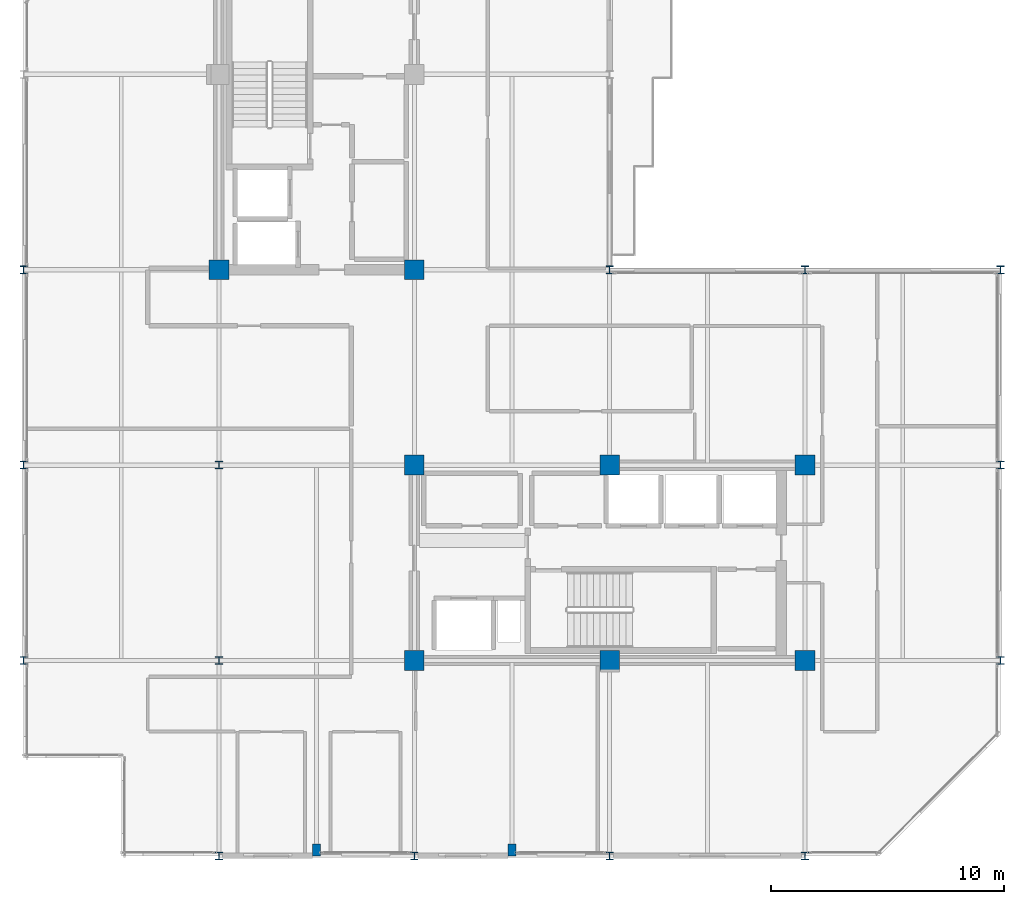
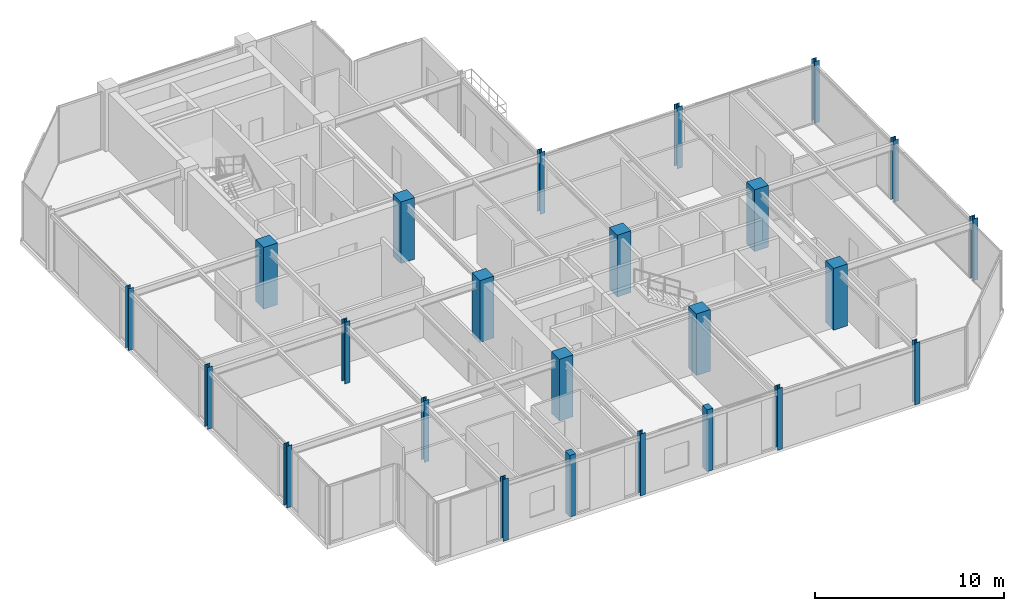
# One storey, part 1 of 26: 24 columns.
"""IFC4 building model written with IfcOpenShell, lengths in metres."""

from ifc_helpers import new_model, si_unit, direction, frame, origin, origin_2d, place, context, subcontext, project, spatial, rectangle, i_section, extrude, material, material_profile, profile_set, type_object, element, save


model = new_model("IFC4")

# Units and contexts
model_context = context("Model", 3, precision=1e-05, world=origin(), true_north=direction((0.0, 1.0)))
body_context = subcontext(model_context, "Body", "Model", "MODEL_VIEW")
ifc_project = project(units=[si_unit("LENGTHUNIT", "METRE"), si_unit("AREAUNIT", "SQUARE_METRE"), si_unit("VOLUMEUNIT", "CUBIC_METRE"), si_unit("PLANEANGLEUNIT", "RADIAN"), si_unit("MASSUNIT", "GRAM", prefix="KILO")], contexts=[model_context])

# Site, building, storey
site_placement = place(None, origin())
site = spatial("IfcSite", under=ifc_project, at=site_placement, CompositionType="ELEMENT")
building_placement = place(site_placement, origin())
building = spatial("IfcBuilding", under=site, at=building_placement, Name="Nerrivon Quay Data Exchange", CompositionType="ELEMENT")
storey_placement = place(building_placement, frame((0.0, 0.0, 258.199951171875)))
storey = spatial("IfcBuildingStorey", under=building, at=storey_placement, Name="L61", CompositionType="ELEMENT", Elevation=258.199951171875)

# Columns
ifc_material_1 = material(Name="Concrete N50 (50 MPa)", Category="concrete")
ifc_material_profile_1 = material_profile(ifc_material_1, rectangle(XDim=0.85009765625, YDim=0.85009765625, at=origin_2d()), Name="RC-COL-850x850")
ifc_profile_set_1 = profile_set([ifc_material_profile_1], Name="Concrete N50 (50 MPa)")
column_type_1 = type_object("IfcColumnType", Name="COL-C5-850", PredefinedType="COLUMN", material=ifc_profile_set_1)
for number, where, z_axis, x_axis, name in (
    (1, (8.39990234375, 25.199951171875, 0.0), (0.0, 0.0, 1.0), (1.0, 0.0, 0.0), "L61 Column (8.4,25.2)"),
    (2, (16.800048828125, 8.39990234375, 0.0), (0.0, 0.0, 1.0), (1.0, 0.0, 0.0), "L61 Column (16.8,8.4)"),
    (3, (16.800048828125, 16.800048828125, 0.0), (0.0, 0.0, 1.0), (1.0, 0.0, 0.0), "L61 Column (16.8,16.8)"),
    (4, (16.800048828125, 25.199951171875, 0.0), (0.0, 0.0, 1.0), (1.0, 0.0, 0.0), "L61 Column (16.8,25.2)"),
    (5, (25.199951171875, 8.39990234375, 0.0), (0.0, 0.0, 1.0), (1.0, 0.0, 0.0), "L61 Column (25.2,8.4)"),
    (6, (25.199951171875, 16.800048828125, 0.0), (0.0, 0.0, 1.0), (1.0, 0.0, 0.0), "L61 Column (25.2,16.8)"),
    (7, (33.60009765625, 8.39990234375, 0.0), (0.0, 0.0, 1.0), (1.0, 0.0, 0.0), "L61 Column (33.6,8.4)"),
    (8, (33.60009765625, 16.800048828125, 0.0), (0.0, 0.0, 1.0), (1.0, 0.0, 0.0), "L61 Column (33.6,16.8)"),
):
    element("IfcColumn", number, at=place(storey_placement, frame(where, z_axis=z_axis, x_axis=x_axis)), inside=storey, type_object=column_type_1, Name=name, PredefinedType="COLUMN", context=body_context, shape_type="SweptSolid", body=[
        extrude(rectangle(XDim=0.85009765625, YDim=0.85009765625, at=origin_2d()), origin(), (0.0, 0.0, 1.0), 4.0),
    ])
ifc_material_2 = material(Name="Steel Grade 350", Category="steel")
ifc_material_profile_2 = material_profile(ifc_material_2, i_section(OverallWidth=0.31103515625, OverallDepth=0.326904296875, WebThickness=0.015625, FlangeThickness=0.02490234375, FilletRadius=0.0166015625, at=origin_2d()), Name="310UC158")
ifc_profile_set_2 = profile_set([ifc_material_profile_2], Name="Steel Grade 350")
column_type_2 = type_object("IfcColumnType", Name="COL-SC4-310UC158", PredefinedType="COLUMN", material=ifc_profile_set_2)
for number, where, z_axis, x_axis, name in (
    (9, (0.0, 8.39990234375, 0.0), (0.0, 0.0, 1.0), (1.0, 0.0, 0.0), "L61 Column (0.0,8.4)"),
    (10, (0.0, 16.800048828125, 0.0), (0.0, 0.0, 1.0), (1.0, 0.0, 0.0), "L61 Column (0.0,16.8)"),
    (11, (0.0, 25.199951171875, 0.0), (0.0, 0.0, 1.0), (1.0, 0.0, 0.0), "L61 Column (0.0,25.2)"),
    (12, (8.39990234375, 0.0, 0.0), (0.0, 0.0, 1.0), (1.0, 0.0, 0.0), "L61 Column (8.4,0.0)"),
    (13, (8.39990234375, 8.39990234375, 0.0), (0.0, 0.0, 1.0), (1.0, 0.0, 0.0), "L61 Column (8.4,8.4)"),
    (14, (8.39990234375, 16.800048828125, 0.0), (0.0, 0.0, 1.0), (1.0, 0.0, 0.0), "L61 Column (8.4,16.8)"),
    (15, (16.800048828125, 0.0, 0.0), (0.0, 0.0, 1.0), (1.0, 0.0, 0.0), "L61 Column (16.8,0.0)"),
    (16, (25.199951171875, 0.0, 0.0), (0.0, 0.0, 1.0), (1.0, 0.0, 0.0), "L61 Column (25.2,0.0)"),
    (17, (25.199951171875, 25.199951171875, 0.0), (0.0, 0.0, 1.0), (1.0, 0.0, 0.0), "L61 Column (25.2,25.2)"),
    (18, (33.60009765625, 0.0, 0.0), (0.0, 0.0, 1.0), (1.0, 0.0, 0.0), "L61 Column (33.6,0.0)"),
    (19, (33.60009765625, 25.199951171875, 0.0), (0.0, 0.0, 1.0), (1.0, 0.0, 0.0), "L61 Column (33.6,25.2)"),
    (20, (42.0, 8.39990234375, 0.0), (0.0, 0.0, 1.0), (1.0, 0.0, 0.0), "L61 Column (42.0,8.4)"),
    (21, (42.0, 16.800048828125, 0.0), (0.0, 0.0, 1.0), (1.0, 0.0, 0.0), "L61 Column (42.0,16.8)"),
    (22, (42.0, 25.199951171875, 0.0), (0.0, 0.0, 1.0), (1.0, 0.0, 0.0), "L61 Column (42.0,25.2)"),
):
    element("IfcColumn", number, at=place(storey_placement, frame(where, z_axis=z_axis, x_axis=x_axis)), inside=storey, type_object=column_type_2, Name=name, PredefinedType="COLUMN", context=body_context, shape_type="SweptSolid", body=[
        extrude(i_section(OverallWidth=0.31103515625, OverallDepth=0.326904296875, WebThickness=0.015625, FlangeThickness=0.02490234375, FilletRadius=0.0166015625, at=origin_2d()), origin(), (0.0, 0.0, 1.0), 4.0),
    ])
ifc_material_profile_3 = material_profile(ifc_material_1, rectangle(XDim=0.35009765625, YDim=0.5, at=origin_2d()), Name="RC-PIL-500x350")
ifc_profile_set_3 = profile_set([ifc_material_profile_3], Name="Concrete N50 (50 MPa)")
column_type_3 = type_object("IfcColumnType", Name="PIL-P2-500x350", PredefinedType="PILASTER", material=ifc_profile_set_3)
for number, where, z_axis, x_axis, name in (
    (23, (12.60009765625, 0.25, 0.0), (0.0, 0.0, 1.0), (1.0, 0.0, 0.0), "L61 Facade Pilaster (12.6)"),
    (24, (21.0, 0.25, 0.0), (0.0, 0.0, 1.0), (1.0, 0.0, 0.0), "L61 Facade Pilaster (21.0)"),
):
    element("IfcColumn", number, at=place(storey_placement, frame(where, z_axis=z_axis, x_axis=x_axis)), inside=storey, type_object=column_type_3, Name=name, PredefinedType="PILASTER", context=body_context, shape_type="SweptSolid", body=[
        extrude(rectangle(XDim=0.35009765625, YDim=0.5, at=origin_2d()), origin(), (0.0, 0.0, 1.0), 4.0),
    ])

save(model, "model.ifc")
